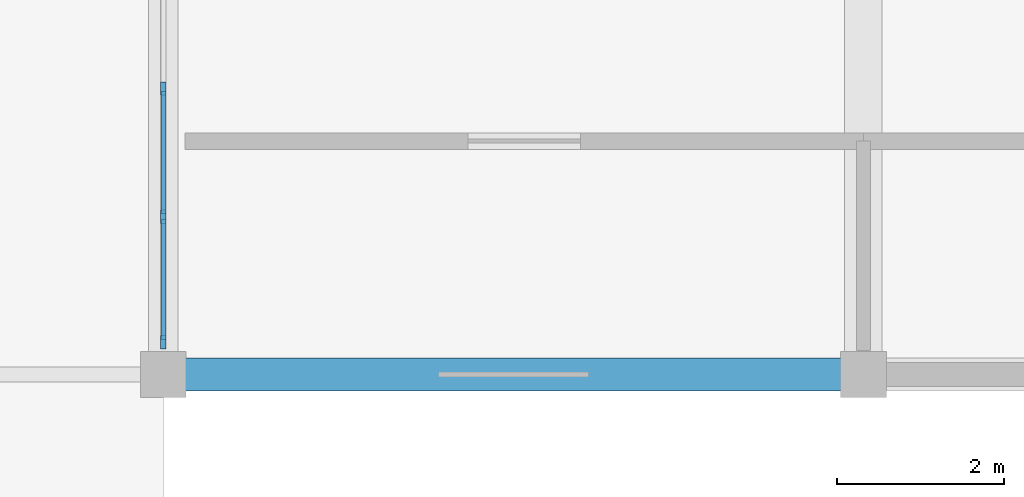
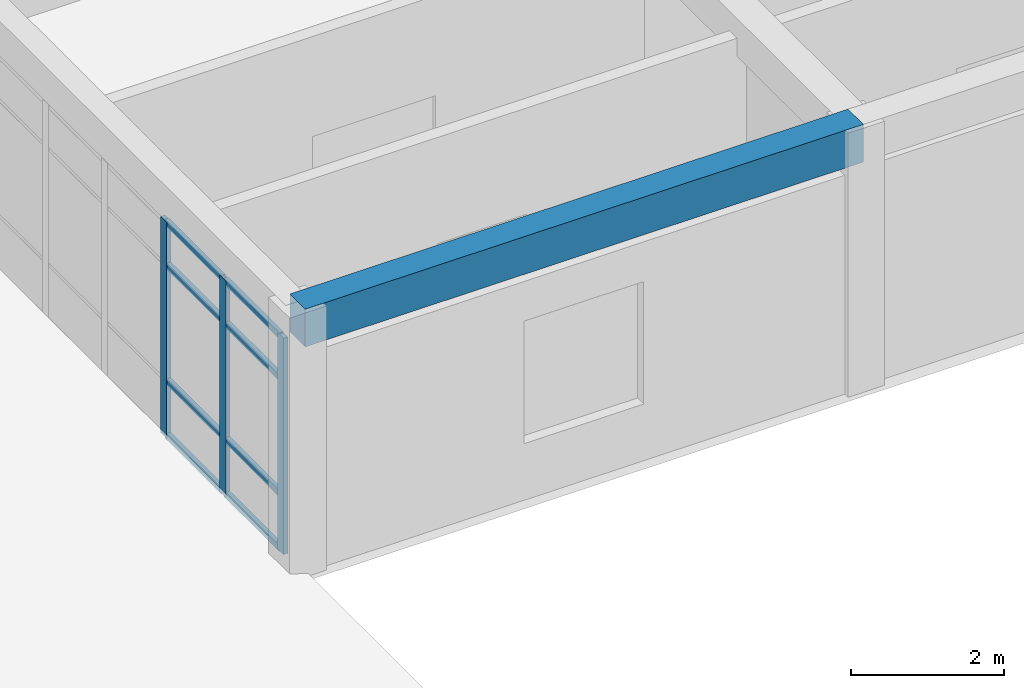
# One storey, part 8 of 77: 11 members, 1 beam, 1 element without a shape of its own.
"""IFC4 building model written with IfcOpenShell, lengths in metres."""

from ifc_helpers import new_model, si_unit, direction, frame, origin, origin_2d, place, context, subcontext, project, spatial, rectangle, extrude, material, material_profile, profile_set, type_object, element, aggregate, save


model = new_model("IFC4")

# Units and contexts
model_context = context("Model", 3, precision=1e-05, world=origin(), true_north=direction((0.0, 1.0)))
body_context = subcontext(model_context, "Body", "Model", "MODEL_VIEW")
ifc_project = project(units=[si_unit("LENGTHUNIT", "METRE"), si_unit("AREAUNIT", "SQUARE_METRE"), si_unit("VOLUMEUNIT", "CUBIC_METRE"), si_unit("PLANEANGLEUNIT", "RADIAN"), si_unit("MASSUNIT", "GRAM", prefix="KILO")], contexts=[model_context])

# Site, building, storey
site_placement = place(None, origin())
site = spatial("IfcSite", under=ifc_project, at=site_placement, CompositionType="ELEMENT")
building_placement = place(site_placement, origin())
building = spatial("IfcBuilding", under=site, at=building_placement, Name="Varncliffe General Hospital", CompositionType="ELEMENT")
storey_placement = place(building_placement, frame((0.0, 0.0, 16.199951171875)))
storey = spatial("IfcBuildingStorey", under=building, at=storey_placement, Name="L03", CompositionType="ELEMENT", Elevation=16.199951171875)

# Curtain wall, members
ifc_material_1 = material(Name="Triple low-E argon insulated vision glazing", Category="glass")
curtain_wall_type = type_object("IfcCurtainWallType", Name="Unitised Glazed Curtain Wall CW37 (7694x3440)", PredefinedType="USERDEFINED", material=ifc_material_1)
curtain_wall_placement = place(storey_placement, origin())
curtain_wall = element("IfcCurtainWall", 1, at=curtain_wall_placement, inside=storey, type_object=curtain_wall_type, Name="L03 Glazed Curtain Wall CW37-158", ObjectType="GLAZED CURTAIN WALL", PredefinedType="USERDEFINED")
ifc_material_2 = material(Name="Dark bronze thermally broken aluminium framing", Category="aluminium")
ifc_material_profile_1 = material_profile(ifc_material_2, rectangle(XDim=0.06494140625, YDim=0.159912109375, at=origin_2d()), Name="ALU 65x160")
ifc_profile_set_1 = profile_set([ifc_material_profile_1], Name="Dark bronze thermally broken aluminium framing")
member_type_1 = type_object("IfcMemberType", Name="Curtain Wall Mullion CM65 (ALU 65x160)", PredefinedType="MULLION", material=ifc_profile_set_1)
member_1_placement = place(storey_placement, frame((117.60009765625, 24.385498046875, 0.0), z_axis=(0.0, 0.0, 1.0), x_axis=(-1.0, 0.0, 0.0)))
member_1 = element("IfcMember", 2, at=member_1_placement, type_object=member_type_1, Name="CW37 mullion 1", PredefinedType="MULLION", context=body_context, shape_type="SweptSolid", body=[
    extrude(rectangle(XDim=0.06494140625, YDim=0.159912109375, at=origin_2d()), origin(), (0.0, 0.0, 1.0), 3.43994140625),
])
member_2_placement = place(storey_placement, frame((117.60009765625, 25.891845703125, 0.0), z_axis=(0.0, 0.0, 1.0), x_axis=(-1.0, 0.0, 0.0)))
member_2 = element("IfcMember", 3, at=member_2_placement, type_object=member_type_1, Name="CW37 mullion 2", PredefinedType="MULLION", context=body_context, shape_type="SweptSolid", body=[
    extrude(rectangle(XDim=0.06494140625, YDim=0.159912109375, at=origin_2d()), origin(), (0.0, 0.0, 1.0), 3.43994140625),
])
member_3_placement = place(storey_placement, frame((117.60009765625, 27.4306640625, 0.0), z_axis=(0.0, 0.0, 1.0), x_axis=(-1.0, 0.0, 0.0)))
member_3 = element("IfcMember", 4, at=member_3_placement, type_object=member_type_1, Name="CW37 mullion 3", PredefinedType="MULLION", context=body_context, shape_type="SweptSolid", body=[
    extrude(rectangle(XDim=0.06494140625, YDim=0.159912109375, at=origin_2d()), origin(), (0.0, 0.0, 1.0), 3.43994140625),
])
ifc_material_profile_2 = material_profile(ifc_material_2, rectangle(XDim=0.06005859375, YDim=0.10009765625, at=origin_2d()), Name="ALU 60x100")
ifc_profile_set_2 = profile_set([ifc_material_profile_2], Name="Dark bronze thermally broken aluminium framing")
member_type_2 = type_object("IfcMemberType", Name="Curtain Wall Transom CT18 (ALU 60x100)", PredefinedType="USERDEFINED", material=ifc_profile_set_2)
member_4_placement = place(storey_placement, frame((117.60009765625, 24.41796875, 0.030029296875), z_axis=(0.0, 1.0, 0.0), x_axis=(-1.0, 0.0, 0.0)))
member_4 = element("IfcMember", 5, at=member_4_placement, type_object=member_type_2, Name="CW37 transom 1.1", ObjectType="TRANSOM", PredefinedType="USERDEFINED", context=body_context, shape_type="SweptSolid", body=[
    extrude(rectangle(XDim=0.06005859375, YDim=0.10009765625, at=origin_2d()), origin(), (0.0, 0.0, 1.0), 1.44140625),
])
member_5_placement = place(storey_placement, frame((117.60009765625, 24.41796875, 0.900146484375), z_axis=(0.0, 1.0, 0.0), x_axis=(-1.0, 0.0, 0.0)))
member_5 = element("IfcMember", 6, at=member_5_placement, type_object=member_type_2, Name="CW37 transom 1.2", ObjectType="TRANSOM", PredefinedType="USERDEFINED", context=body_context, shape_type="SweptSolid", body=[
    extrude(rectangle(XDim=0.06005859375, YDim=0.10009765625, at=origin_2d()), origin(), (0.0, 0.0, 1.0), 1.44140625),
])
member_6_placement = place(storey_placement, frame((117.60009765625, 24.41796875, 2.739990234375), z_axis=(0.0, 1.0, 0.0), x_axis=(-1.0, 0.0, 0.0)))
member_6 = element("IfcMember", 7, at=member_6_placement, type_object=member_type_2, Name="CW37 transom 1.3", ObjectType="TRANSOM", PredefinedType="USERDEFINED", context=body_context, shape_type="SweptSolid", body=[
    extrude(rectangle(XDim=0.06005859375, YDim=0.10009765625, at=origin_2d()), origin(), (0.0, 0.0, 1.0), 1.44140625),
])
member_7_placement = place(storey_placement, frame((117.60009765625, 24.41796875, 3.41015625), z_axis=(0.0, 1.0, 0.0), x_axis=(-1.0, 0.0, 0.0)))
member_7 = element("IfcMember", 8, at=member_7_placement, type_object=member_type_2, Name="CW37 transom 1.4", ObjectType="TRANSOM", PredefinedType="USERDEFINED", context=body_context, shape_type="SweptSolid", body=[
    extrude(rectangle(XDim=0.06005859375, YDim=0.10009765625, at=origin_2d()), origin(), (0.0, 0.0, 1.0), 1.44140625),
])
member_8_placement = place(storey_placement, frame((117.60009765625, 25.92431640625, 0.030029296875), z_axis=(0.0, 1.0, 0.0), x_axis=(-1.0, 0.0, 0.0)))
member_8 = element("IfcMember", 9, at=member_8_placement, type_object=member_type_2, Name="CW37 transom 2.1", ObjectType="TRANSOM", PredefinedType="USERDEFINED", context=body_context, shape_type="SweptSolid", body=[
    extrude(rectangle(XDim=0.06005859375, YDim=0.10009765625, at=origin_2d()), origin(), (0.0, 0.0, 1.0), 1.473876953125),
])
member_9_placement = place(storey_placement, frame((117.60009765625, 25.92431640625, 0.900146484375), z_axis=(0.0, 1.0, 0.0), x_axis=(-1.0, 0.0, 0.0)))
member_9 = element("IfcMember", 10, at=member_9_placement, type_object=member_type_2, Name="CW37 transom 2.2", ObjectType="TRANSOM", PredefinedType="USERDEFINED", context=body_context, shape_type="SweptSolid", body=[
    extrude(rectangle(XDim=0.06005859375, YDim=0.10009765625, at=origin_2d()), origin(), (0.0, 0.0, 1.0), 1.473876953125),
])
member_10_placement = place(storey_placement, frame((117.60009765625, 25.92431640625, 2.739990234375), z_axis=(0.0, 1.0, 0.0), x_axis=(-1.0, 0.0, 0.0)))
member_10 = element("IfcMember", 11, at=member_10_placement, type_object=member_type_2, Name="CW37 transom 2.3", ObjectType="TRANSOM", PredefinedType="USERDEFINED", context=body_context, shape_type="SweptSolid", body=[
    extrude(rectangle(XDim=0.06005859375, YDim=0.10009765625, at=origin_2d()), origin(), (0.0, 0.0, 1.0), 1.473876953125),
])
member_11_placement = place(storey_placement, frame((117.60009765625, 25.92431640625, 3.41015625), z_axis=(0.0, 1.0, 0.0), x_axis=(-1.0, 0.0, 0.0)))
member_11 = element("IfcMember", 12, at=member_11_placement, type_object=member_type_2, Name="CW37 transom 2.4", ObjectType="TRANSOM", PredefinedType="USERDEFINED", context=body_context, shape_type="SweptSolid", body=[
    extrude(rectangle(XDim=0.06005859375, YDim=0.10009765625, at=origin_2d()), origin(), (0.0, 0.0, 1.0), 1.473876953125),
])
aggregate(curtain_wall, [member_1, member_2, member_3, member_4, member_5, member_6, member_7, member_8, member_9, member_10, member_11])

# Beam
ifc_material_3 = material(Name="Concrete C35/45 (CSA A23.1 35 MPa)", Category="concrete")
ifc_material_profile_3 = material_profile(ifc_material_3, rectangle(XDim=0.39990234375, YDim=0.60009765625, at=origin_2d()), Name="RC 400x600")
ifc_profile_set_3 = profile_set([ifc_material_profile_3], Name="Concrete C35/45 (CSA A23.1 35 MPa)")
beam_type = type_object("IfcBeamType", Name="Spandrel SP58 (Ext RC 400x600B)", PredefinedType="SPANDREL", material=ifc_profile_set_3)
beam_placement = place(storey_placement, frame((117.60009765625, 24.0, 3.900146484375), z_axis=(1.0, 0.0, 0.0), x_axis=(0.0, 1.0, 0.0)))
element("IfcBeam", 13, at=beam_placement, inside=storey, type_object=beam_type, Name="L03 Spandrel Beam SP58-10", PredefinedType="SPANDREL", context=body_context, shape_type="SweptSolid", body=[
    extrude(rectangle(XDim=0.39990234375, YDim=0.60009765625, at=origin_2d()), origin(), (0.0, 0.0, 1.0), 8.39990234375),
])

save(model, "model.ifc")
